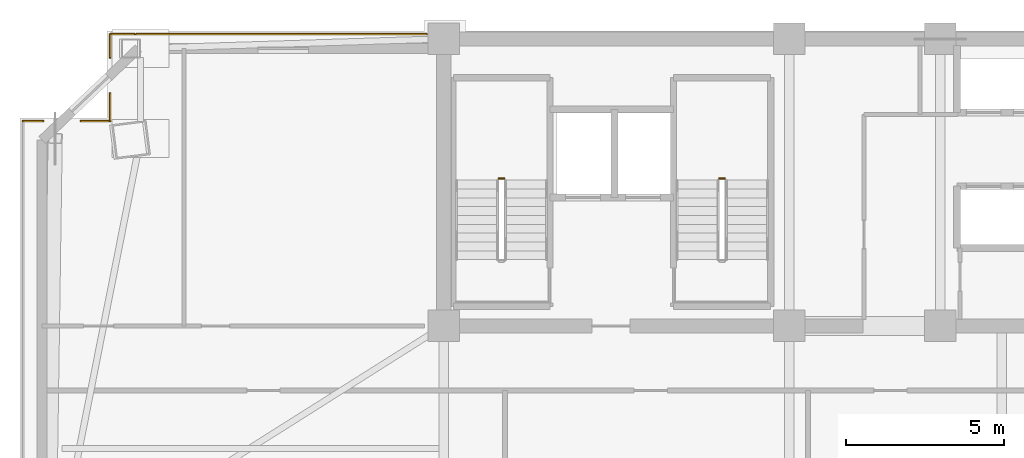
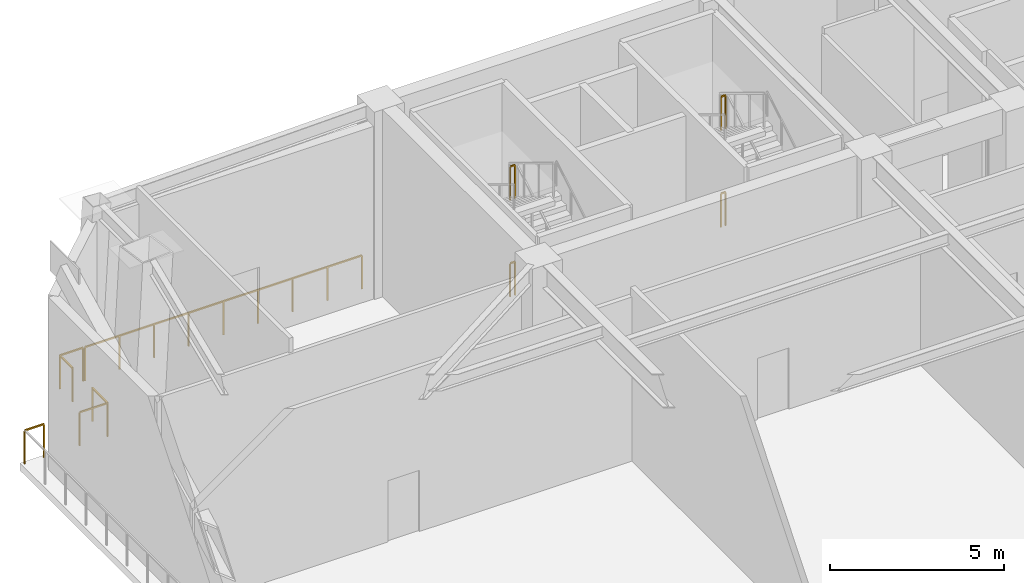
# One storey, part 15 of 16: 10 railings.
"""IFC4 building model written with IfcOpenShell, lengths in metres."""

from ifc_helpers import new_model, si_unit, direction, frame, origin, origin_2d, place, context, subcontext, project, spatial, rectangle, extrude, material, type_object, element, save


model = new_model("IFC4")

# Units and contexts
model_context = context("Model", 3, precision=1e-05, world=origin(), true_north=direction((0.0, 1.0)))
body_context = subcontext(model_context, "Body", "Model", "MODEL_VIEW")
ifc_project = project(units=[si_unit("LENGTHUNIT", "METRE"), si_unit("AREAUNIT", "SQUARE_METRE"), si_unit("VOLUMEUNIT", "CUBIC_METRE"), si_unit("PLANEANGLEUNIT", "RADIAN"), si_unit("MASSUNIT", "GRAM", prefix="KILO")], contexts=[model_context])

# Site, building, storey
site_placement = place(None, origin())
site = spatial("IfcSite", under=ifc_project, at=site_placement, CompositionType="ELEMENT")
building_placement = place(site_placement, origin())
building = spatial("IfcBuilding", under=site, at=building_placement, Name="Giltprow Tower", CompositionType="ELEMENT")
storey_placement = place(building_placement, frame((0.0, 0.0, 220.199951171875)))
storey = spatial("IfcBuildingStorey", under=building, at=storey_placement, Name="L56", CompositionType="ELEMENT", Elevation=220.199951171875)

# Railings
ifc_material = material(Name="Anodized bronze", Category="metal")
railing_type_1 = type_object("IfcRailingType", Name="RAIL-BALC-GUARD-1200", PredefinedType="BALUSTRADE", material=ifc_material)
railing_1_placement = place(storey_placement, frame((6.51806640625, 43.946044921875, 0.0)))
element("IfcRailing", 1, at=railing_1_placement, inside=storey, type_object=railing_type_1, Name="L56 Corner Apron Edge Balustrade 14", PredefinedType="BALUSTRADE", context=body_context, shape_type="SweptSolid", body=[
    extrude(rectangle(XDim=0.048095703125, YDim=0.048095703125, at=origin_2d()), frame((0.0, 0.0, 1.17578125), z_axis=(1.0, 0.0, 0.0), x_axis=(0.0, 1.0, 0.0)), (0.0, 0.0, 1.0), 0.635986328125),
    extrude(rectangle(XDim=0.0419921875, YDim=0.0419921875, at=origin_2d()), origin(), (0.0, 0.0, 1.0), 1.15185546875),
    extrude(rectangle(XDim=0.0419921875, YDim=0.0419921875, at=origin_2d()), frame((0.635986328125, 0.0, 0.0)), (0.0, 0.0, 1.0), 1.15185546875),
])
railing_2_placement = place(storey_placement, frame((8.343994140625, 43.946044921875, 0.0)))
element("IfcRailing", 2, at=railing_2_placement, inside=storey, type_object=railing_type_1, Name="L56 Corner Apron Edge Balustrade 15", PredefinedType="BALUSTRADE", context=body_context, shape_type="SweptSolid", body=[
    extrude(rectangle(XDim=0.048095703125, YDim=0.048095703125, at=origin_2d()), frame((0.0, 0.0, 1.17578125), z_axis=(1.0, 0.0, 0.0), x_axis=(0.0, 1.0, 0.0)), (0.0, 0.0, 1.0), 0.927978515625),
    extrude(rectangle(XDim=0.0419921875, YDim=0.0419921875, at=origin_2d()), origin(), (0.0, 0.0, 1.0), 1.15185546875),
    extrude(rectangle(XDim=0.0419921875, YDim=0.0419921875, at=origin_2d()), frame((0.927978515625, 0.0, 0.0)), (0.0, 0.0, 1.0), 1.15185546875),
])
railing_3_placement = place(storey_placement, frame((9.27197265625, 43.946044921875, 0.0)))
element("IfcRailing", 3, at=railing_3_placement, inside=storey, type_object=railing_type_1, Name="L56 Corner Apron Edge Balustrade 16", PredefinedType="BALUSTRADE", context=body_context, shape_type="SweptSolid", body=[
    extrude(rectangle(XDim=0.048095703125, YDim=0.048095703125, at=origin_2d()), frame((0.0, 0.0, 1.17578125), z_axis=(0.0, 1.0, 0.0), x_axis=(-1.0, 0.0, 0.0)), (0.0, 0.0, 1.0), 0.8818359375),
    extrude(rectangle(XDim=0.0419921875, YDim=0.0419921875, at=origin_2d()), origin(), (0.0, 0.0, 1.0), 1.15185546875),
    extrude(rectangle(XDim=0.0419921875, YDim=0.0419921875, at=origin_2d()), frame((0.0, 0.8818359375, 0.0)), (0.0, 0.0, 1.0), 1.15185546875),
])
railing_4_placement = place(storey_placement, frame((9.27197265625, 45.9599609375, 0.0)))
element("IfcRailing", 4, at=railing_4_placement, inside=storey, type_object=railing_type_1, Name="L56 Corner Apron Edge Balustrade 17", PredefinedType="BALUSTRADE", context=body_context, shape_type="SweptSolid", body=[
    extrude(rectangle(XDim=0.048095703125, YDim=0.048095703125, at=origin_2d()), frame((0.0, 0.0, 1.17578125), z_axis=(0.0, 1.0, 0.0), x_axis=(-1.0, 0.0, 0.0)), (0.0, 0.0, 1.0), 0.739990234375),
    extrude(rectangle(XDim=0.0419921875, YDim=0.0419921875, at=origin_2d()), origin(), (0.0, 0.0, 1.0), 1.15185546875),
    extrude(rectangle(XDim=0.0419921875, YDim=0.0419921875, at=origin_2d()), frame((0.0, 0.739990234375, 0.0)), (0.0, 0.0, 1.0), 1.15185546875),
])
railing_5_placement = place(storey_placement, frame((9.27197265625, 46.699951171875, 0.0)))
element("IfcRailing", 5, at=railing_5_placement, inside=storey, type_object=railing_type_1, Name="L56 Corner Apron Edge Balustrade 18", PredefinedType="BALUSTRADE", context=body_context, shape_type="SweptSolid", body=[
    extrude(rectangle(XDim=0.048095703125, YDim=0.048095703125, at=origin_2d()), frame((0.0, 0.0, 1.17578125), z_axis=(1.0, 0.0, 0.0), x_axis=(0.0, 1.0, 0.0)), (0.0, 0.0, 1.0), 0.778076171875),
    extrude(rectangle(XDim=0.0419921875, YDim=0.0419921875, at=origin_2d()), origin(), (0.0, 0.0, 1.0), 1.15185546875),
    extrude(rectangle(XDim=0.0419921875, YDim=0.0419921875, at=origin_2d()), frame((0.778076171875, 0.0, 0.0)), (0.0, 0.0, 1.0), 1.15185546875),
])
railing_6_placement = place(storey_placement, frame((10.10302734375, 46.699951171875, 0.0)))
element("IfcRailing", 6, at=railing_6_placement, inside=storey, type_object=railing_type_1, Name="L56 Corner Apron Edge Balustrade 19", PredefinedType="BALUSTRADE", context=body_context, shape_type="SweptSolid", body=[
    extrude(rectangle(XDim=0.048095703125, YDim=0.048095703125, at=origin_2d()), frame((0.0, 0.0, 1.17578125), z_axis=(1.0, 0.0, 0.0), x_axis=(0.0, 1.0, 0.0)), (0.0, 0.0, 1.0), 9.2119140625),
    extrude(rectangle(XDim=0.0419921875, YDim=0.0419921875, at=origin_2d()), origin(), (0.0, 0.0, 1.0), 1.15185546875),
    extrude(rectangle(XDim=0.0419921875, YDim=0.0419921875, at=origin_2d()), frame((1.1513671875, 0.0, 0.0)), (0.0, 0.0, 1.0), 1.15185546875),
    extrude(rectangle(XDim=0.0419921875, YDim=0.0419921875, at=origin_2d()), frame((2.302978515625, 0.0, 0.0)), (0.0, 0.0, 1.0), 1.15185546875),
    extrude(rectangle(XDim=0.0419921875, YDim=0.0419921875, at=origin_2d()), frame((3.45458984375, 0.0, 0.0)), (0.0, 0.0, 1.0), 1.15185546875),
    extrude(rectangle(XDim=0.0419921875, YDim=0.0419921875, at=origin_2d()), frame((4.60595703125, 0.0, 0.0)), (0.0, 0.0, 1.0), 1.15185546875),
    extrude(rectangle(XDim=0.0419921875, YDim=0.0419921875, at=origin_2d()), frame((5.75732421875, 0.0, 0.0)), (0.0, 0.0, 1.0), 1.15185546875),
    extrude(rectangle(XDim=0.0419921875, YDim=0.0419921875, at=origin_2d()), frame((6.908935546875, 0.0, 0.0)), (0.0, 0.0, 1.0), 1.15185546875),
    extrude(rectangle(XDim=0.0419921875, YDim=0.0419921875, at=origin_2d()), frame((8.060546875, 0.0, 0.0)), (0.0, 0.0, 1.0), 1.15185546875),
    extrude(rectangle(XDim=0.0419921875, YDim=0.0419921875, at=origin_2d()), frame((9.2119140625, 0.0, 0.0)), (0.0, 0.0, 1.0), 1.15185546875),
])
railing_type_2 = type_object("IfcRailingType", Name="RAIL-STAIR-GUARD-1200", PredefinedType="GUARDRAIL", material=ifc_material)
for number, where, name in (
    (7, (21.760009765625, 42.1201171875, 1.699951171875), "L56 ST-1 stair guard 2"),
    (8, (21.760009765625, 42.1201171875, 5.10009765625), "L56 ST-1 stair guard 6"),
    (9, (28.760009765625, 42.1201171875, 1.699951171875), "L56 ST-2 stair guard 2"),
    (10, (28.760009765625, 42.1201171875, 5.10009765625), "L56 ST-2 stair guard 6"),
):
    element("IfcRailing", number, at=place(storey_placement, frame(where)), inside=storey, type_object=railing_type_2, Name=name, PredefinedType="GUARDRAIL", context=body_context, shape_type="SweptSolid", body=[
        extrude(rectangle(XDim=0.048095703125, YDim=0.048095703125, at=origin_2d()), frame((0.0, 0.0, 1.17578125), z_axis=(-1.0, 0.0, 0.0), x_axis=(0.0, -1.0, 0.0)), (0.0, 0.0, 1.0), 0.159912109375),
        extrude(rectangle(XDim=0.0419921875, YDim=0.0419921875, at=origin_2d()), origin(), (0.0, 0.0, 1.0), 1.15185546875),
        extrude(rectangle(XDim=0.0419921875, YDim=0.0419921875, at=origin_2d()), frame((-0.159912109375, 0.0, 0.0)), (0.0, 0.0, 1.0), 1.15185546875),
    ])

save(model, "model.ifc")
